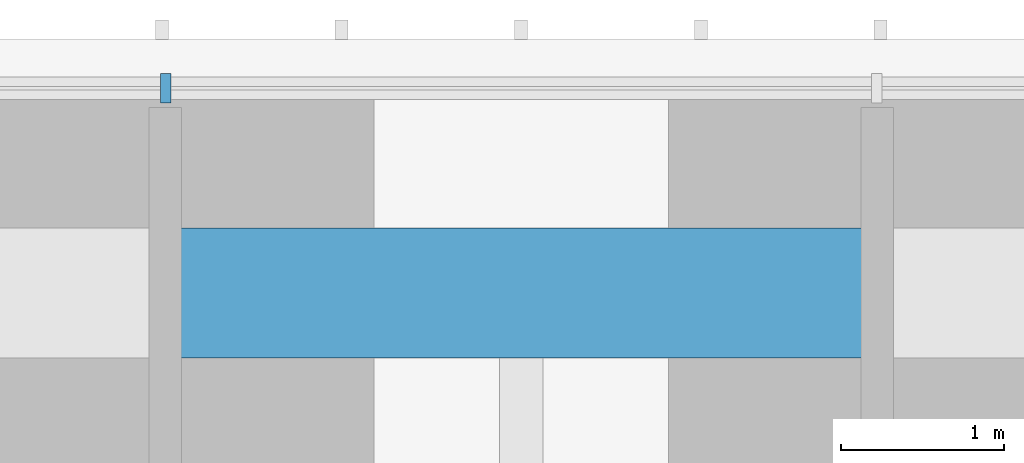
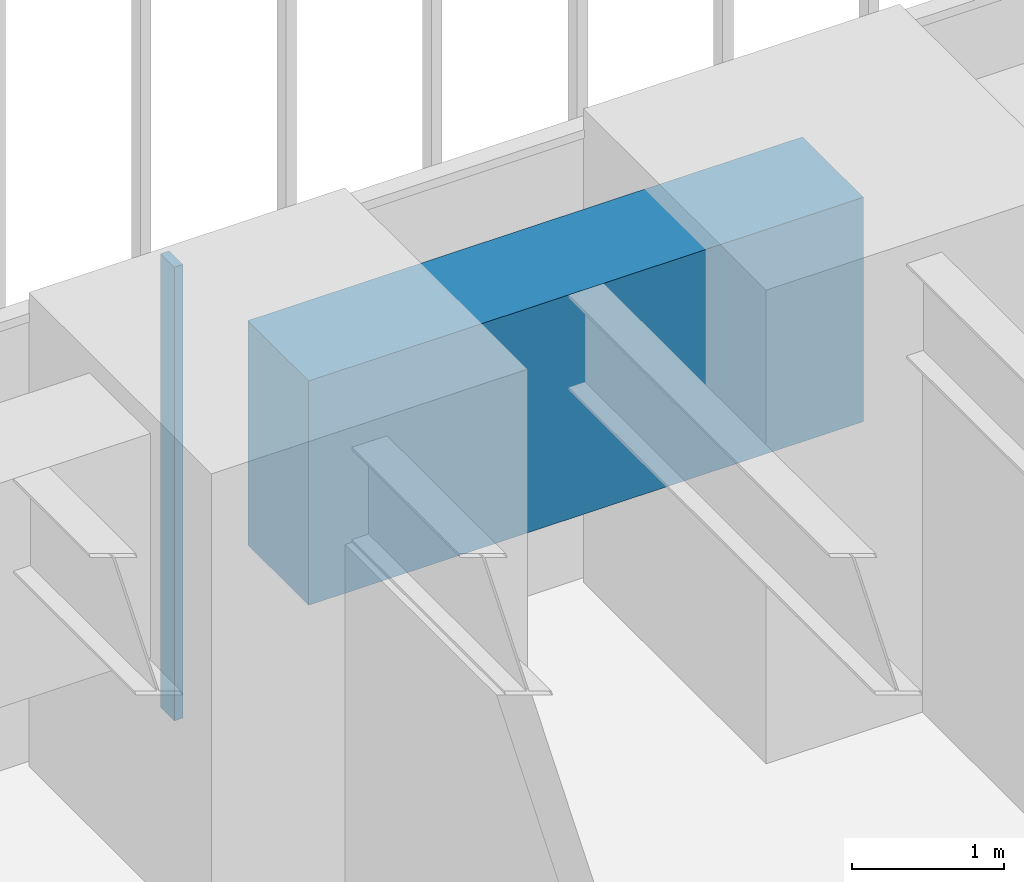
# One storey, part 186 of 256: 1 beam, 1 member, 1 element without a shape of its own.
"""IFC4 building model written with IfcOpenShell, lengths in metres."""

from ifc_helpers import new_model, si_unit, direction, frame, origin, origin_2d, place, context, subcontext, project, spatial, rectangle, extrude, material, material_profile, profile_set, type_object, element, aggregate, save


model = new_model("IFC4")

# Units and contexts
model_context = context("Model", 3, precision=1e-05, world=origin(), true_north=direction((0.0, 1.0)))
body_context = subcontext(model_context, "Body", "Model", "MODEL_VIEW")
ifc_project = project(units=[si_unit("LENGTHUNIT", "METRE"), si_unit("AREAUNIT", "SQUARE_METRE"), si_unit("VOLUMEUNIT", "CUBIC_METRE"), si_unit("PLANEANGLEUNIT", "RADIAN"), si_unit("MASSUNIT", "GRAM", prefix="KILO")], contexts=[model_context])

# Site, building, storey
site_placement = place(None, origin())
site = spatial("IfcSite", under=ifc_project, at=site_placement, CompositionType="ELEMENT")
building_placement = place(site_placement, origin())
building = spatial("IfcBuilding", under=site, at=building_placement, Name="Sandreach Pilgrim Tower", CompositionType="ELEMENT")
storey_placement = place(building_placement, frame((0.0, 0.0, 23.0)))
storey = spatial("IfcBuildingStorey", under=building, at=storey_placement, Name="L04", CompositionType="ELEMENT", Elevation=23.0)

# Curtain wall, member
ifc_material_1 = material(Name="Aluminium framed curtain wall", Category="aluminium")
curtain_wall_type = type_object("IfcCurtainWallType", Name="Hostel tower curtain wall", PredefinedType="NOTDEFINED", material=ifc_material_1)
curtain_wall_placement = place(storey_placement, origin())
curtain_wall = element("IfcCurtainWall", 1, at=curtain_wall_placement, inside=storey, type_object=curtain_wall_type, Name="CW-1 L04 N", PredefinedType="NOTDEFINED")
ifc_material_2 = material(Name="Aluminium extrusion", Category="aluminium")
ifc_material_profile_1 = material_profile(ifc_material_2, rectangle(XDim=0.06494140625, YDim=0.179931640625, at=origin_2d()), Name="CW-1M 65X180")
ifc_profile_set_1 = profile_set([ifc_material_profile_1], Name="Aluminium extrusion")
member_type = type_object("IfcMemberType", Name="CW-1 mullion", PredefinedType="MULLION", material=ifc_profile_set_1)
member_placement = place(storey_placement, frame((-2.185791015625, 23.94873046875, 0.0), z_axis=(0.0, 0.0, 1.0), x_axis=(1.0, 0.0, 0.0)))
member = element("IfcMember", 2, at=member_placement, type_object=member_type, Name="CW-1 mullion 5", PredefinedType="MULLION", context=body_context, shape_type="SweptSolid", body=[
    extrude(rectangle(XDim=0.06494140625, YDim=0.179931640625, at=origin_2d()), origin(), (0.0, 0.0, 1.0), 3.639892578125),
])
aggregate(curtain_wall, [member])

# Beam
ifc_material_3 = material(Name="Concrete 10000 psi", Category="concrete")
ifc_material_profile_2 = material_profile(ifc_material_3, rectangle(XDim=0.800048828125, YDim=1.800048828125, at=origin_2d()), Name="RC800X1800")
ifc_profile_set_2 = profile_set([ifc_material_profile_2], Name="Concrete 10000 psi")
beam_type = type_object("IfcBeamType", Name="Spandrel beam RC800X1800", PredefinedType="SPANDREL", material=ifc_profile_set_2)
beam_placement = place(storey_placement, frame((-2.10498046875, 22.688720703125, 2.739990234375), z_axis=(1.0, 0.0, 0.0), x_axis=(0.0, 1.0, 0.0)))
element("IfcBeam", 3, at=beam_placement, inside=storey, type_object=beam_type, Name="BM L04 SP04", PredefinedType="SPANDREL", context=body_context, shape_type="SweptSolid", body=[
    extrude(rectangle(XDim=0.800048828125, YDim=1.800048828125, at=origin_2d()), origin(), (0.0, 0.0, 1.0), 4.2099609375),
])

save(model, "model.ifc")
